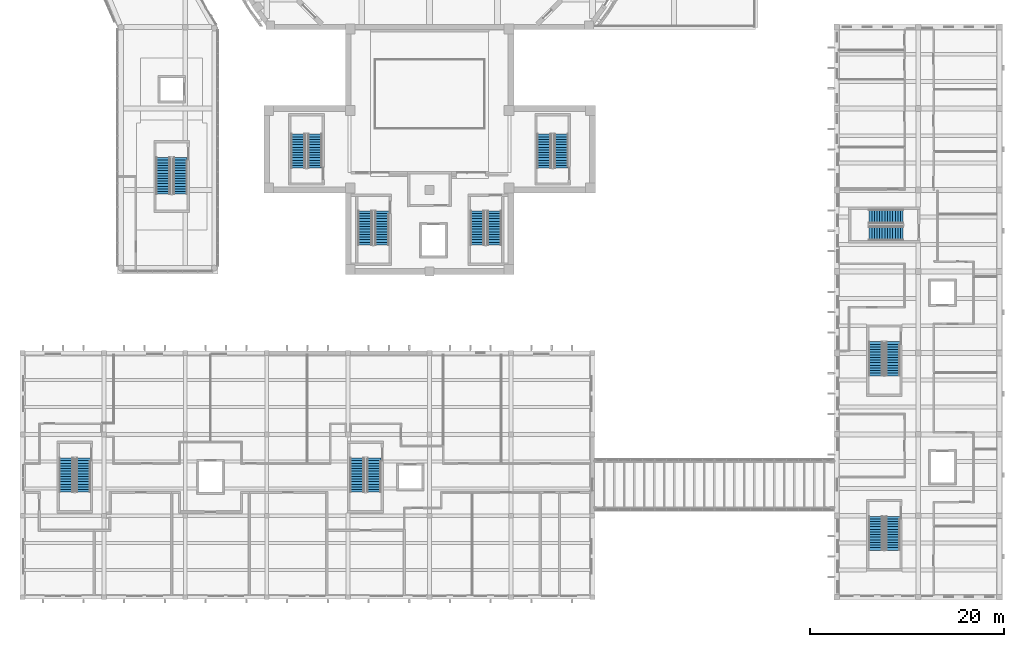
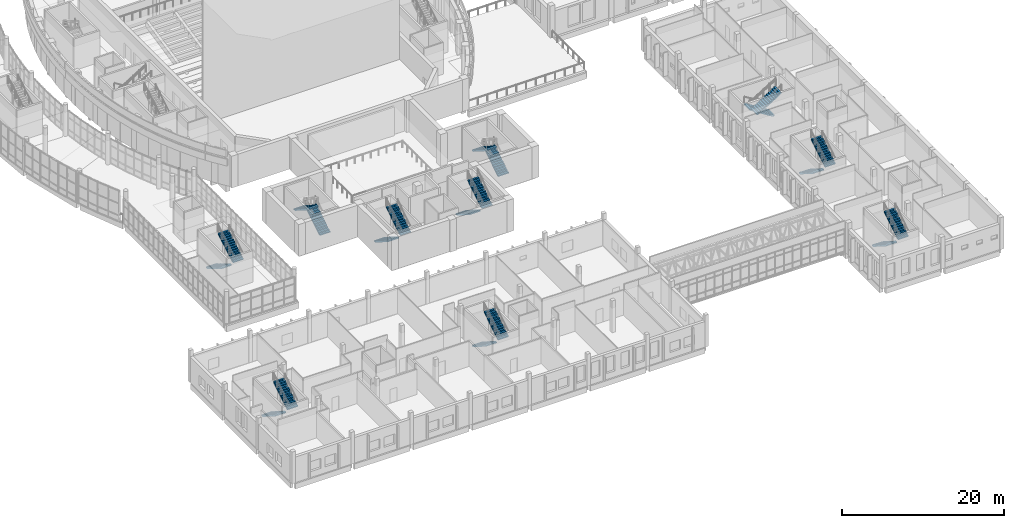
# One storey, part 72 of 119: 20 stair flights, 10 elements without a shape of their own.
"""IFC4 building model written with IfcOpenShell, lengths in metres."""

from ifc_helpers import new_model, si_unit, direction, frame, origin, place, context, subcontext, project, spatial, polyline, outline, extrude, material, type_object, element, aggregate, save


model = new_model("IFC4")

# Units and contexts
model_context = context("Model", 3, precision=1e-05, world=origin(), true_north=direction((0.0, 1.0)))
body_context = subcontext(model_context, "Body", "Model", "MODEL_VIEW")
ifc_project = project(units=[si_unit("LENGTHUNIT", "METRE"), si_unit("AREAUNIT", "SQUARE_METRE"), si_unit("VOLUMEUNIT", "CUBIC_METRE"), si_unit("PLANEANGLEUNIT", "RADIAN"), si_unit("MASSUNIT", "GRAM", prefix="KILO")], contexts=[model_context])

# Site, building, storey
site_placement = place(None, origin())
site = spatial("IfcSite", under=ifc_project, at=site_placement, CompositionType="ELEMENT")
building_placement = place(site_placement, origin())
building = spatial("IfcBuilding", under=site, at=building_placement, Name="Larchfold Concert Hall", CompositionType="ELEMENT")
storey_placement = place(building_placement, frame((0.0, 0.0, 4.800048828125)))
storey = spatial("IfcBuildingStorey", under=building, at=storey_placement, Name="L01", CompositionType="ELEMENT", Elevation=4.800048828125)

# Stair, stair flights
ifc_material_1 = material(Name="Concrete C35/45", Category="concrete")
stair_type = type_object("IfcStairType", Name="Stair RC half-turn enclosed", PredefinedType="HALF_TURN_STAIR", material=ifc_material_1)
stair_1_placement = place(storey_placement, origin())
stair_1 = element("IfcStair", 1, at=stair_1_placement, inside=storey, type_object=stair_type, Name="Stair WG1", PredefinedType="HALF_TURN_STAIR")
ifc_material_2 = material(Name="Concrete C35/45", Category="concrete")
stair_flight_type_1 = type_object("IfcStairFlightType", Name="Stair flight RC 1500 x 160.0", PredefinedType="STRAIGHT", material=ifc_material_2)
stair_flight_1_placement = place(storey_placement, frame((15.14990234375, 45.949951171875, 0.0), z_axis=(0.0, 0.0, 1.0), x_axis=(0.0, -1.0, 0.0)))
stair_flight_1 = element("IfcStairFlight", 2, at=stair_flight_1_placement, type_object=stair_flight_type_1, Name="ST23 flight 1", NumberOfRisers=15, NumberOfTreads=14, PredefinedType="STRAIGHT", RiserHeight=0.16, TreadLength=0.27, context=body_context, shape_type="SweptSolid", body=[
    extrude(outline(polyline([(0.0, 0.0), (0.0, 0.159912109375), (0.27001953125, 0.159912109375), (0.27001953125, 0.320068359375), (0.5400390625, 0.320068359375), (0.5400390625, 0.47998046875), (0.81005859375, 0.47998046875), (0.81005859375, 0.639892578125), (1.080078125, 0.639892578125), (1.080078125, 0.800048828125), (1.35009765625, 0.800048828125), (1.35009765625, 0.9599609375), (1.6201171875, 0.9599609375), (1.6201171875, 1.1201171875), (1.889892578125, 1.1201171875), (1.889892578125, 1.280029296875), (2.159912109375, 1.280029296875), (2.159912109375, 1.43994140625), (2.429931640625, 1.43994140625), (2.429931640625, 1.60009765625), (2.699951171875, 1.60009765625), (2.699951171875, 1.760009765625), (2.969970703125, 1.760009765625), (2.969970703125, 1.919921875), (3.239990234375, 1.919921875), (3.239990234375, 2.080078125), (3.510009765625, 2.080078125), (3.510009765625, 2.239990234375), (3.780029296875, 2.239990234375), (3.780029296875, 2.39990234375), (3.780029296875, 2.065673828125), (0.2939453125, 0.0), (0.0, 0.0)])), frame((0.0, 0.75, 0.0), z_axis=(0.0, -1.0, 0.0), x_axis=(1.0, 0.0, 0.0)), (0.0, 0.0, 1.0), 1.5),
])
stair_flight_2_placement = place(storey_placement, frame((16.849853515625, 42.169921875, 2.39990234375), z_axis=(0.0, 0.0, 1.0), x_axis=(0.0, 1.0, 0.0)))
stair_flight_2 = element("IfcStairFlight", 3, at=stair_flight_2_placement, type_object=stair_flight_type_1, Name="ST23 flight 2", NumberOfRisers=15, NumberOfTreads=14, PredefinedType="STRAIGHT", RiserHeight=0.16, TreadLength=0.27, context=body_context, shape_type="SweptSolid", body=[
    extrude(outline(polyline([(0.0, 0.0), (0.0, 0.159912109375), (0.27001953125, 0.159912109375), (0.27001953125, 0.320068359375), (0.5400390625, 0.320068359375), (0.5400390625, 0.47998046875), (0.81005859375, 0.47998046875), (0.81005859375, 0.639892578125), (1.080078125, 0.639892578125), (1.080078125, 0.800048828125), (1.35009765625, 0.800048828125), (1.35009765625, 0.9599609375), (1.6201171875, 0.9599609375), (1.6201171875, 1.1201171875), (1.889892578125, 1.1201171875), (1.889892578125, 1.280029296875), (2.159912109375, 1.280029296875), (2.159912109375, 1.43994140625), (2.429931640625, 1.43994140625), (2.429931640625, 1.60009765625), (2.699951171875, 1.60009765625), (2.699951171875, 1.760009765625), (2.969970703125, 1.760009765625), (2.969970703125, 1.919921875), (3.239990234375, 1.919921875), (3.239990234375, 2.080078125), (3.510009765625, 2.080078125), (3.510009765625, 2.239990234375), (3.780029296875, 2.239990234375), (3.780029296875, 2.39990234375), (3.780029296875, 2.065673828125), (0.2939453125, 0.0), (0.0, 0.0)])), frame((0.0, 0.75, 0.0), z_axis=(0.0, -1.0, 0.0), x_axis=(1.0, 0.0, 0.0)), (0.0, 0.0, 1.0), 1.5),
])
aggregate(stair_1, [stair_flight_1, stair_flight_2])

stair_2_placement = place(storey_placement, origin())
stair_2 = element("IfcStair", 4, at=stair_2_placement, inside=storey, type_object=stair_type, Name="Stair SH1", PredefinedType="HALF_TURN_STAIR")
ifc_material_3 = material(Name="Concrete C35/45", Category="concrete")
stair_flight_type_2 = type_object("IfcStairFlightType", Name="Stair flight RC 1500 x 171.4", PredefinedType="STRAIGHT", material=ifc_material_3)
stair_flight_3_placement = place(storey_placement, frame((30.75, 44.85009765625, 0.0), z_axis=(0.0, 0.0, 1.0), x_axis=(0.0, 1.0, 0.0)))
stair_flight_3 = element("IfcStairFlight", 5, at=stair_flight_3_placement, type_object=stair_flight_type_2, Name="ST09 flight 1", NumberOfRisers=14, NumberOfTreads=13, PredefinedType="STRAIGHT", RiserHeight=0.171428571, TreadLength=0.27, context=body_context, shape_type="SweptSolid", body=[
    extrude(outline(polyline([(0.0, 0.0), (0.0, 0.17138671875), (0.27001953125, 0.17138671875), (0.27001953125, 0.3427734375), (0.5400390625, 0.3427734375), (0.5400390625, 0.514404296875), (0.81005859375, 0.514404296875), (0.81005859375, 0.685791015625), (1.080078125, 0.685791015625), (1.080078125, 0.857177734375), (1.35009765625, 0.857177734375), (1.35009765625, 1.028564453125), (1.6201171875, 1.028564453125), (1.6201171875, 1.199951171875), (1.889892578125, 1.199951171875), (1.889892578125, 1.371337890625), (2.159912109375, 1.371337890625), (2.159912109375, 1.54296875), (2.429931640625, 1.54296875), (2.429931640625, 1.71435546875), (2.699951171875, 1.71435546875), (2.699951171875, 1.8857421875), (2.969970703125, 1.8857421875), (2.969970703125, 2.05712890625), (3.239990234375, 2.05712890625), (3.239990234375, 2.228515625), (3.510009765625, 2.228515625), (3.510009765625, 2.39990234375), (3.510009765625, 2.051025390625), (0.27978515625, 0.0), (0.0, 0.0)])), frame((0.0, 0.75, 0.0), z_axis=(0.0, -1.0, 0.0), x_axis=(1.0, 0.0, 0.0)), (0.0, 0.0, 1.0), 1.5),
])
stair_flight_4_placement = place(storey_placement, frame((29.050048828125, 48.360107421875, 2.39990234375), z_axis=(0.0, 0.0, 1.0), x_axis=(0.0, -1.0, 0.0)))
stair_flight_4 = element("IfcStairFlight", 6, at=stair_flight_4_placement, type_object=stair_flight_type_2, Name="ST09 flight 2", NumberOfRisers=14, NumberOfTreads=13, PredefinedType="STRAIGHT", RiserHeight=0.171428571, TreadLength=0.27, context=body_context, shape_type="SweptSolid", body=[
    extrude(outline(polyline([(0.0, 0.0), (0.0, 0.17138671875), (0.27001953125, 0.17138671875), (0.27001953125, 0.3427734375), (0.5400390625, 0.3427734375), (0.5400390625, 0.514404296875), (0.81005859375, 0.514404296875), (0.81005859375, 0.685791015625), (1.080078125, 0.685791015625), (1.080078125, 0.857177734375), (1.35009765625, 0.857177734375), (1.35009765625, 1.028564453125), (1.6201171875, 1.028564453125), (1.6201171875, 1.199951171875), (1.889892578125, 1.199951171875), (1.889892578125, 1.371337890625), (2.159912109375, 1.371337890625), (2.159912109375, 1.54296875), (2.429931640625, 1.54296875), (2.429931640625, 1.71435546875), (2.699951171875, 1.71435546875), (2.699951171875, 1.8857421875), (2.969970703125, 1.8857421875), (2.969970703125, 2.05712890625), (3.239990234375, 2.05712890625), (3.239990234375, 2.228515625), (3.510009765625, 2.228515625), (3.510009765625, 2.39990234375), (3.510009765625, 2.051025390625), (0.27978515625, 0.0), (0.0, 0.0)])), frame((0.0, 0.75, 0.0), z_axis=(0.0, -1.0, 0.0), x_axis=(1.0, 0.0, 0.0)), (0.0, 0.0, 1.0), 1.5),
])
aggregate(stair_2, [stair_flight_3, stair_flight_4])

stair_3_placement = place(storey_placement, origin())
stair_3 = element("IfcStair", 7, at=stair_3_placement, inside=storey, type_object=stair_type, Name="Stair SH2", PredefinedType="HALF_TURN_STAIR")
stair_flight_5_placement = place(storey_placement, frame((56.14990234375, 44.85009765625, 0.0), z_axis=(0.0, 0.0, 1.0), x_axis=(0.0, 1.0, 0.0)))
stair_flight_5 = element("IfcStairFlight", 8, at=stair_flight_5_placement, type_object=stair_flight_type_2, Name="ST10 flight 1", NumberOfRisers=14, NumberOfTreads=13, PredefinedType="STRAIGHT", RiserHeight=0.171428571, TreadLength=0.27, context=body_context, shape_type="SweptSolid", body=[
    extrude(outline(polyline([(0.0, 0.0), (0.0, 0.17138671875), (0.27001953125, 0.17138671875), (0.27001953125, 0.3427734375), (0.5400390625, 0.3427734375), (0.5400390625, 0.514404296875), (0.81005859375, 0.514404296875), (0.81005859375, 0.685791015625), (1.080078125, 0.685791015625), (1.080078125, 0.857177734375), (1.35009765625, 0.857177734375), (1.35009765625, 1.028564453125), (1.6201171875, 1.028564453125), (1.6201171875, 1.199951171875), (1.889892578125, 1.199951171875), (1.889892578125, 1.371337890625), (2.159912109375, 1.371337890625), (2.159912109375, 1.54296875), (2.429931640625, 1.54296875), (2.429931640625, 1.71435546875), (2.699951171875, 1.71435546875), (2.699951171875, 1.8857421875), (2.969970703125, 1.8857421875), (2.969970703125, 2.05712890625), (3.239990234375, 2.05712890625), (3.239990234375, 2.228515625), (3.510009765625, 2.228515625), (3.510009765625, 2.39990234375), (3.510009765625, 2.051025390625), (0.27978515625, 0.0), (0.0, 0.0)])), frame((0.0, 0.75, 0.0), z_axis=(0.0, -1.0, 0.0), x_axis=(1.0, 0.0, 0.0)), (0.0, 0.0, 1.0), 1.5),
])
stair_flight_6_placement = place(storey_placement, frame((54.449951171875, 48.360107421875, 2.39990234375), z_axis=(0.0, 0.0, 1.0), x_axis=(0.0, -1.0, 0.0)))
stair_flight_6 = element("IfcStairFlight", 9, at=stair_flight_6_placement, type_object=stair_flight_type_2, Name="ST10 flight 2", NumberOfRisers=14, NumberOfTreads=13, PredefinedType="STRAIGHT", RiserHeight=0.171428571, TreadLength=0.27, context=body_context, shape_type="SweptSolid", body=[
    extrude(outline(polyline([(0.0, 0.0), (0.0, 0.17138671875), (0.27001953125, 0.17138671875), (0.27001953125, 0.3427734375), (0.5400390625, 0.3427734375), (0.5400390625, 0.514404296875), (0.81005859375, 0.514404296875), (0.81005859375, 0.685791015625), (1.080078125, 0.685791015625), (1.080078125, 0.857177734375), (1.35009765625, 0.857177734375), (1.35009765625, 1.028564453125), (1.6201171875, 1.028564453125), (1.6201171875, 1.199951171875), (1.889892578125, 1.199951171875), (1.889892578125, 1.371337890625), (2.159912109375, 1.371337890625), (2.159912109375, 1.54296875), (2.429931640625, 1.54296875), (2.429931640625, 1.71435546875), (2.699951171875, 1.71435546875), (2.699951171875, 1.8857421875), (2.969970703125, 1.8857421875), (2.969970703125, 2.05712890625), (3.239990234375, 2.05712890625), (3.239990234375, 2.228515625), (3.510009765625, 2.228515625), (3.510009765625, 2.39990234375), (3.510009765625, 2.051025390625), (0.27978515625, 0.0), (0.0, 0.0)])), frame((0.0, 0.75, 0.0), z_axis=(0.0, -1.0, 0.0), x_axis=(1.0, 0.0, 0.0)), (0.0, 0.0, 1.0), 1.5),
])
aggregate(stair_3, [stair_flight_5, stair_flight_6])

stair_4_placement = place(storey_placement, origin())
stair_4 = element("IfcStair", 10, at=stair_4_placement, inside=storey, type_object=stair_type, Name="Stair SH3", PredefinedType="HALF_TURN_STAIR")
stair_flight_7_placement = place(storey_placement, frame((35.949951171875, 40.449951171875, 0.0), z_axis=(0.0, 0.0, 1.0), x_axis=(0.0, -1.0, 0.0)))
stair_flight_7 = element("IfcStairFlight", 11, at=stair_flight_7_placement, type_object=stair_flight_type_2, Name="ST11 flight 1", NumberOfRisers=14, NumberOfTreads=13, PredefinedType="STRAIGHT", RiserHeight=0.171428571, TreadLength=0.27, context=body_context, shape_type="SweptSolid", body=[
    extrude(outline(polyline([(0.0, 0.0), (0.0, 0.17138671875), (0.27001953125, 0.17138671875), (0.27001953125, 0.3427734375), (0.5400390625, 0.3427734375), (0.5400390625, 0.514404296875), (0.81005859375, 0.514404296875), (0.81005859375, 0.685791015625), (1.080078125, 0.685791015625), (1.080078125, 0.857177734375), (1.35009765625, 0.857177734375), (1.35009765625, 1.028564453125), (1.6201171875, 1.028564453125), (1.6201171875, 1.199951171875), (1.889892578125, 1.199951171875), (1.889892578125, 1.371337890625), (2.159912109375, 1.371337890625), (2.159912109375, 1.54296875), (2.429931640625, 1.54296875), (2.429931640625, 1.71435546875), (2.699951171875, 1.71435546875), (2.699951171875, 1.8857421875), (2.969970703125, 1.8857421875), (2.969970703125, 2.05712890625), (3.239990234375, 2.05712890625), (3.239990234375, 2.228515625), (3.510009765625, 2.228515625), (3.510009765625, 2.39990234375), (3.510009765625, 2.051025390625), (0.27978515625, 0.0), (0.0, 0.0)])), frame((0.0, 0.75, 0.0), z_axis=(0.0, -1.0, 0.0), x_axis=(1.0, 0.0, 0.0)), (0.0, 0.0, 1.0), 1.5),
])
stair_flight_8_placement = place(storey_placement, frame((37.64990234375, 36.93994140625, 2.39990234375), z_axis=(0.0, 0.0, 1.0), x_axis=(0.0, 1.0, 0.0)))
stair_flight_8 = element("IfcStairFlight", 12, at=stair_flight_8_placement, type_object=stair_flight_type_2, Name="ST11 flight 2", NumberOfRisers=14, NumberOfTreads=13, PredefinedType="STRAIGHT", RiserHeight=0.171428571, TreadLength=0.27, context=body_context, shape_type="SweptSolid", body=[
    extrude(outline(polyline([(0.0, 0.0), (0.0, 0.17138671875), (0.27001953125, 0.17138671875), (0.27001953125, 0.3427734375), (0.5400390625, 0.3427734375), (0.5400390625, 0.514404296875), (0.81005859375, 0.514404296875), (0.81005859375, 0.685791015625), (1.080078125, 0.685791015625), (1.080078125, 0.857177734375), (1.35009765625, 0.857177734375), (1.35009765625, 1.028564453125), (1.6201171875, 1.028564453125), (1.6201171875, 1.199951171875), (1.889892578125, 1.199951171875), (1.889892578125, 1.371337890625), (2.159912109375, 1.371337890625), (2.159912109375, 1.54296875), (2.429931640625, 1.54296875), (2.429931640625, 1.71435546875), (2.699951171875, 1.71435546875), (2.699951171875, 1.8857421875), (2.969970703125, 1.8857421875), (2.969970703125, 2.05712890625), (3.239990234375, 2.05712890625), (3.239990234375, 2.228515625), (3.510009765625, 2.228515625), (3.510009765625, 2.39990234375), (3.510009765625, 2.051025390625), (0.27978515625, 0.0), (0.0, 0.0)])), frame((0.0, 0.75, 0.0), z_axis=(0.0, -1.0, 0.0), x_axis=(1.0, 0.0, 0.0)), (0.0, 0.0, 1.0), 1.5),
])
aggregate(stair_4, [stair_flight_7, stair_flight_8])

stair_5_placement = place(storey_placement, origin())
stair_5 = element("IfcStair", 13, at=stair_5_placement, inside=storey, type_object=stair_type, Name="Stair SH4", PredefinedType="HALF_TURN_STAIR")
stair_flight_9_placement = place(storey_placement, frame((47.550048828125, 40.449951171875, 0.0), z_axis=(0.0, 0.0, 1.0), x_axis=(0.0, -1.0, 0.0)))
stair_flight_9 = element("IfcStairFlight", 14, at=stair_flight_9_placement, type_object=stair_flight_type_2, Name="ST12 flight 1", NumberOfRisers=14, NumberOfTreads=13, PredefinedType="STRAIGHT", RiserHeight=0.171428571, TreadLength=0.27, context=body_context, shape_type="SweptSolid", body=[
    extrude(outline(polyline([(0.0, 0.0), (0.0, 0.17138671875), (0.27001953125, 0.17138671875), (0.27001953125, 0.3427734375), (0.5400390625, 0.3427734375), (0.5400390625, 0.514404296875), (0.81005859375, 0.514404296875), (0.81005859375, 0.685791015625), (1.080078125, 0.685791015625), (1.080078125, 0.857177734375), (1.35009765625, 0.857177734375), (1.35009765625, 1.028564453125), (1.6201171875, 1.028564453125), (1.6201171875, 1.199951171875), (1.889892578125, 1.199951171875), (1.889892578125, 1.371337890625), (2.159912109375, 1.371337890625), (2.159912109375, 1.54296875), (2.429931640625, 1.54296875), (2.429931640625, 1.71435546875), (2.699951171875, 1.71435546875), (2.699951171875, 1.8857421875), (2.969970703125, 1.8857421875), (2.969970703125, 2.05712890625), (3.239990234375, 2.05712890625), (3.239990234375, 2.228515625), (3.510009765625, 2.228515625), (3.510009765625, 2.39990234375), (3.510009765625, 2.051025390625), (0.27978515625, 0.0), (0.0, 0.0)])), frame((0.0, 0.75, 0.0), z_axis=(0.0, -1.0, 0.0), x_axis=(1.0, 0.0, 0.0)), (0.0, 0.0, 1.0), 1.5),
])
stair_flight_10_placement = place(storey_placement, frame((49.25, 36.93994140625, 2.39990234375), z_axis=(0.0, 0.0, 1.0), x_axis=(0.0, 1.0, 0.0)))
stair_flight_10 = element("IfcStairFlight", 15, at=stair_flight_10_placement, type_object=stair_flight_type_2, Name="ST12 flight 2", NumberOfRisers=14, NumberOfTreads=13, PredefinedType="STRAIGHT", RiserHeight=0.171428571, TreadLength=0.27, context=body_context, shape_type="SweptSolid", body=[
    extrude(outline(polyline([(0.0, 0.0), (0.0, 0.17138671875), (0.27001953125, 0.17138671875), (0.27001953125, 0.3427734375), (0.5400390625, 0.3427734375), (0.5400390625, 0.514404296875), (0.81005859375, 0.514404296875), (0.81005859375, 0.685791015625), (1.080078125, 0.685791015625), (1.080078125, 0.857177734375), (1.35009765625, 0.857177734375), (1.35009765625, 1.028564453125), (1.6201171875, 1.028564453125), (1.6201171875, 1.199951171875), (1.889892578125, 1.199951171875), (1.889892578125, 1.371337890625), (2.159912109375, 1.371337890625), (2.159912109375, 1.54296875), (2.429931640625, 1.54296875), (2.429931640625, 1.71435546875), (2.699951171875, 1.71435546875), (2.699951171875, 1.8857421875), (2.969970703125, 1.8857421875), (2.969970703125, 2.05712890625), (3.239990234375, 2.05712890625), (3.239990234375, 2.228515625), (3.510009765625, 2.228515625), (3.510009765625, 2.39990234375), (3.510009765625, 2.051025390625), (0.27978515625, 0.0), (0.0, 0.0)])), frame((0.0, 0.75, 0.0), z_axis=(0.0, -1.0, 0.0), x_axis=(1.0, 0.0, 0.0)), (0.0, 0.0, 1.0), 1.5),
])
aggregate(stair_5, [stair_flight_9, stair_flight_10])

stair_6_placement = place(storey_placement, origin())
stair_6 = element("IfcStair", 16, at=stair_6_placement, inside=storey, type_object=stair_type, Name="Stair AW1", PredefinedType="HALF_TURN_STAIR")
stair_flight_11_placement = place(storey_placement, frame((88.64990234375, 8.949951171875, 0.0), z_axis=(0.0, 0.0, 1.0), x_axis=(0.0, -1.0, 0.0)))
stair_flight_11 = element("IfcStairFlight", 17, at=stair_flight_11_placement, type_object=stair_flight_type_2, Name="ST13 flight 1", NumberOfRisers=14, NumberOfTreads=13, PredefinedType="STRAIGHT", RiserHeight=0.171428571, TreadLength=0.27, context=body_context, shape_type="SweptSolid", body=[
    extrude(outline(polyline([(0.0, 0.0), (0.0, 0.17138671875), (0.27001953125, 0.17138671875), (0.27001953125, 0.3427734375), (0.5400390625, 0.3427734375), (0.5400390625, 0.514404296875), (0.81005859375, 0.514404296875), (0.81005859375, 0.685791015625), (1.080078125, 0.685791015625), (1.080078125, 0.857177734375), (1.35009765625, 0.857177734375), (1.35009765625, 1.028564453125), (1.6201171875, 1.028564453125), (1.6201171875, 1.199951171875), (1.889892578125, 1.199951171875), (1.889892578125, 1.371337890625), (2.159912109375, 1.371337890625), (2.159912109375, 1.54296875), (2.429931640625, 1.54296875), (2.429931640625, 1.71435546875), (2.699951171875, 1.71435546875), (2.699951171875, 1.8857421875), (2.969970703125, 1.8857421875), (2.969970703125, 2.05712890625), (3.239990234375, 2.05712890625), (3.239990234375, 2.228515625), (3.510009765625, 2.228515625), (3.510009765625, 2.39990234375), (3.510009765625, 2.051025390625), (0.27978515625, 0.0), (0.0, 0.0)])), frame((0.0, 0.75, 0.0), z_axis=(0.0, -1.0, 0.0), x_axis=(1.0, 0.0, 0.0)), (0.0, 0.0, 1.0), 1.5),
])
stair_flight_12_placement = place(storey_placement, frame((90.349853515625, 5.43994140625, 2.39990234375), z_axis=(0.0, 0.0, 1.0), x_axis=(0.0, 1.0, 0.0)))
stair_flight_12 = element("IfcStairFlight", 18, at=stair_flight_12_placement, type_object=stair_flight_type_2, Name="ST13 flight 2", NumberOfRisers=14, NumberOfTreads=13, PredefinedType="STRAIGHT", RiserHeight=0.171428571, TreadLength=0.27, context=body_context, shape_type="SweptSolid", body=[
    extrude(outline(polyline([(0.0, 0.0), (0.0, 0.17138671875), (0.27001953125, 0.17138671875), (0.27001953125, 0.3427734375), (0.5400390625, 0.3427734375), (0.5400390625, 0.514404296875), (0.81005859375, 0.514404296875), (0.81005859375, 0.685791015625), (1.080078125, 0.685791015625), (1.080078125, 0.857177734375), (1.35009765625, 0.857177734375), (1.35009765625, 1.028564453125), (1.6201171875, 1.028564453125), (1.6201171875, 1.199951171875), (1.889892578125, 1.199951171875), (1.889892578125, 1.371337890625), (2.159912109375, 1.371337890625), (2.159912109375, 1.54296875), (2.429931640625, 1.54296875), (2.429931640625, 1.71435546875), (2.699951171875, 1.71435546875), (2.699951171875, 1.8857421875), (2.969970703125, 1.8857421875), (2.969970703125, 2.05712890625), (3.239990234375, 2.05712890625), (3.239990234375, 2.228515625), (3.510009765625, 2.228515625), (3.510009765625, 2.39990234375), (3.510009765625, 2.051025390625), (0.27978515625, 0.0), (0.0, 0.0)])), frame((0.0, 0.75, 0.0), z_axis=(0.0, -1.0, 0.0), x_axis=(1.0, 0.0, 0.0)), (0.0, 0.0, 1.0), 1.5),
])
aggregate(stair_6, [stair_flight_11, stair_flight_12])

stair_7_placement = place(storey_placement, origin())
stair_7 = element("IfcStair", 19, at=stair_7_placement, inside=storey, type_object=stair_type, Name="Stair AW2", PredefinedType="HALF_TURN_STAIR")
stair_flight_13_placement = place(storey_placement, frame((88.64990234375, 26.949951171875, 0.0), z_axis=(0.0, 0.0, 1.0), x_axis=(0.0, -1.0, 0.0)))
stair_flight_13 = element("IfcStairFlight", 20, at=stair_flight_13_placement, type_object=stair_flight_type_2, Name="ST14 flight 1", NumberOfRisers=14, NumberOfTreads=13, PredefinedType="STRAIGHT", RiserHeight=0.171428571, TreadLength=0.27, context=body_context, shape_type="SweptSolid", body=[
    extrude(outline(polyline([(0.0, 0.0), (0.0, 0.17138671875), (0.27001953125, 0.17138671875), (0.27001953125, 0.3427734375), (0.5400390625, 0.3427734375), (0.5400390625, 0.514404296875), (0.81005859375, 0.514404296875), (0.81005859375, 0.685791015625), (1.080078125, 0.685791015625), (1.080078125, 0.857177734375), (1.35009765625, 0.857177734375), (1.35009765625, 1.028564453125), (1.6201171875, 1.028564453125), (1.6201171875, 1.199951171875), (1.889892578125, 1.199951171875), (1.889892578125, 1.371337890625), (2.159912109375, 1.371337890625), (2.159912109375, 1.54296875), (2.429931640625, 1.54296875), (2.429931640625, 1.71435546875), (2.699951171875, 1.71435546875), (2.699951171875, 1.8857421875), (2.969970703125, 1.8857421875), (2.969970703125, 2.05712890625), (3.239990234375, 2.05712890625), (3.239990234375, 2.228515625), (3.510009765625, 2.228515625), (3.510009765625, 2.39990234375), (3.510009765625, 2.051025390625), (0.27978515625, 0.0), (0.0, 0.0)])), frame((0.0, 0.75, 0.0), z_axis=(0.0, -1.0, 0.0), x_axis=(1.0, 0.0, 0.0)), (0.0, 0.0, 1.0), 1.5),
])
stair_flight_14_placement = place(storey_placement, frame((90.349853515625, 23.43994140625, 2.39990234375), z_axis=(0.0, 0.0, 1.0), x_axis=(0.0, 1.0, 0.0)))
stair_flight_14 = element("IfcStairFlight", 21, at=stair_flight_14_placement, type_object=stair_flight_type_2, Name="ST14 flight 2", NumberOfRisers=14, NumberOfTreads=13, PredefinedType="STRAIGHT", RiserHeight=0.171428571, TreadLength=0.27, context=body_context, shape_type="SweptSolid", body=[
    extrude(outline(polyline([(0.0, 0.0), (0.0, 0.17138671875), (0.27001953125, 0.17138671875), (0.27001953125, 0.3427734375), (0.5400390625, 0.3427734375), (0.5400390625, 0.514404296875), (0.81005859375, 0.514404296875), (0.81005859375, 0.685791015625), (1.080078125, 0.685791015625), (1.080078125, 0.857177734375), (1.35009765625, 0.857177734375), (1.35009765625, 1.028564453125), (1.6201171875, 1.028564453125), (1.6201171875, 1.199951171875), (1.889892578125, 1.199951171875), (1.889892578125, 1.371337890625), (2.159912109375, 1.371337890625), (2.159912109375, 1.54296875), (2.429931640625, 1.54296875), (2.429931640625, 1.71435546875), (2.699951171875, 1.71435546875), (2.699951171875, 1.8857421875), (2.969970703125, 1.8857421875), (2.969970703125, 2.05712890625), (3.239990234375, 2.05712890625), (3.239990234375, 2.228515625), (3.510009765625, 2.228515625), (3.510009765625, 2.39990234375), (3.510009765625, 2.051025390625), (0.27978515625, 0.0), (0.0, 0.0)])), frame((0.0, 0.75, 0.0), z_axis=(0.0, -1.0, 0.0), x_axis=(1.0, 0.0, 0.0)), (0.0, 0.0, 1.0), 1.5),
])
aggregate(stair_7, [stair_flight_13, stair_flight_14])

stair_8_placement = place(storey_placement, origin())
stair_8 = element("IfcStair", 22, at=stair_8_placement, inside=storey, type_object=stair_type, Name="Stair AW3", PredefinedType="HALF_TURN_STAIR")
stair_flight_15_placement = place(storey_placement, frame((91.449951171875, 39.85009765625, 0.0), z_axis=(0.0, 0.0, 1.0), x_axis=(-1.0, 0.0, 0.0)))
stair_flight_15 = element("IfcStairFlight", 23, at=stair_flight_15_placement, type_object=stair_flight_type_2, Name="ST15 flight 1", NumberOfRisers=14, NumberOfTreads=13, PredefinedType="STRAIGHT", RiserHeight=0.171428571, TreadLength=0.27, context=body_context, shape_type="SweptSolid", body=[
    extrude(outline(polyline([(0.0, 0.0), (0.0, 0.17138671875), (0.27001953125, 0.17138671875), (0.27001953125, 0.3427734375), (0.5400390625, 0.3427734375), (0.5400390625, 0.514404296875), (0.81005859375, 0.514404296875), (0.81005859375, 0.685791015625), (1.080078125, 0.685791015625), (1.080078125, 0.857177734375), (1.35009765625, 0.857177734375), (1.35009765625, 1.028564453125), (1.6201171875, 1.028564453125), (1.6201171875, 1.199951171875), (1.889892578125, 1.199951171875), (1.889892578125, 1.371337890625), (2.159912109375, 1.371337890625), (2.159912109375, 1.54296875), (2.429931640625, 1.54296875), (2.429931640625, 1.71435546875), (2.699951171875, 1.71435546875), (2.699951171875, 1.8857421875), (2.969970703125, 1.8857421875), (2.969970703125, 2.05712890625), (3.239990234375, 2.05712890625), (3.239990234375, 2.228515625), (3.510009765625, 2.228515625), (3.510009765625, 2.39990234375), (3.510009765625, 2.051025390625), (0.27978515625, 0.0), (0.0, 0.0)])), frame((0.0, 0.75, 0.0), z_axis=(0.0, -1.0, 0.0), x_axis=(1.0, 0.0, 0.0)), (0.0, 0.0, 1.0), 1.5),
])
stair_flight_16_placement = place(storey_placement, frame((87.93994140625, 38.150146484375, 2.39990234375), z_axis=(0.0, 0.0, 1.0), x_axis=(1.0, 0.0, 0.0)))
stair_flight_16 = element("IfcStairFlight", 24, at=stair_flight_16_placement, type_object=stair_flight_type_2, Name="ST15 flight 2", NumberOfRisers=14, NumberOfTreads=13, PredefinedType="STRAIGHT", RiserHeight=0.171428571, TreadLength=0.27, context=body_context, shape_type="SweptSolid", body=[
    extrude(outline(polyline([(0.0, 0.0), (0.0, 0.17138671875), (0.27001953125, 0.17138671875), (0.27001953125, 0.3427734375), (0.5400390625, 0.3427734375), (0.5400390625, 0.514404296875), (0.81005859375, 0.514404296875), (0.81005859375, 0.685791015625), (1.080078125, 0.685791015625), (1.080078125, 0.857177734375), (1.35009765625, 0.857177734375), (1.35009765625, 1.028564453125), (1.6201171875, 1.028564453125), (1.6201171875, 1.199951171875), (1.889892578125, 1.199951171875), (1.889892578125, 1.371337890625), (2.159912109375, 1.371337890625), (2.159912109375, 1.54296875), (2.429931640625, 1.54296875), (2.429931640625, 1.71435546875), (2.699951171875, 1.71435546875), (2.699951171875, 1.8857421875), (2.969970703125, 1.8857421875), (2.969970703125, 2.05712890625), (3.239990234375, 2.05712890625), (3.239990234375, 2.228515625), (3.510009765625, 2.228515625), (3.510009765625, 2.39990234375), (3.510009765625, 2.051025390625), (0.27978515625, 0.0), (0.0, 0.0)])), frame((0.0, 0.75, 0.0), z_axis=(0.0, -1.0, 0.0), x_axis=(1.0, 0.0, 0.0)), (0.0, 0.0, 1.0), 1.5),
])
aggregate(stair_8, [stair_flight_15, stair_flight_16])

stair_9_placement = place(storey_placement, origin())
stair_9 = element("IfcStair", 25, at=stair_9_placement, inside=storey, type_object=stair_type, Name="Stair SW1", PredefinedType="HALF_TURN_STAIR")
stair_flight_17_placement = place(storey_placement, frame((5.14990234375, 14.949951171875, 0.0), z_axis=(0.0, 0.0, 1.0), x_axis=(0.0, -1.0, 0.0)))
stair_flight_17 = element("IfcStairFlight", 26, at=stair_flight_17_placement, type_object=stair_flight_type_2, Name="ST21 flight 1", NumberOfRisers=14, NumberOfTreads=13, PredefinedType="STRAIGHT", RiserHeight=0.171428571, TreadLength=0.27, context=body_context, shape_type="SweptSolid", body=[
    extrude(outline(polyline([(0.0, 0.0), (0.0, 0.17138671875), (0.27001953125, 0.17138671875), (0.27001953125, 0.3427734375), (0.5400390625, 0.3427734375), (0.5400390625, 0.514404296875), (0.81005859375, 0.514404296875), (0.81005859375, 0.685791015625), (1.080078125, 0.685791015625), (1.080078125, 0.857177734375), (1.35009765625, 0.857177734375), (1.35009765625, 1.028564453125), (1.6201171875, 1.028564453125), (1.6201171875, 1.199951171875), (1.889892578125, 1.199951171875), (1.889892578125, 1.371337890625), (2.159912109375, 1.371337890625), (2.159912109375, 1.54296875), (2.429931640625, 1.54296875), (2.429931640625, 1.71435546875), (2.699951171875, 1.71435546875), (2.699951171875, 1.8857421875), (2.969970703125, 1.8857421875), (2.969970703125, 2.05712890625), (3.239990234375, 2.05712890625), (3.239990234375, 2.228515625), (3.510009765625, 2.228515625), (3.510009765625, 2.39990234375), (3.510009765625, 2.051025390625), (0.27978515625, 0.0), (0.0, 0.0)])), frame((0.0, 0.75, 0.0), z_axis=(0.0, -1.0, 0.0), x_axis=(1.0, 0.0, 0.0)), (0.0, 0.0, 1.0), 1.5),
])
stair_flight_18_placement = place(storey_placement, frame((6.849853515625, 11.43994140625, 2.39990234375), z_axis=(0.0, 0.0, 1.0), x_axis=(0.0, 1.0, 0.0)))
stair_flight_18 = element("IfcStairFlight", 27, at=stair_flight_18_placement, type_object=stair_flight_type_2, Name="ST21 flight 2", NumberOfRisers=14, NumberOfTreads=13, PredefinedType="STRAIGHT", RiserHeight=0.171428571, TreadLength=0.27, context=body_context, shape_type="SweptSolid", body=[
    extrude(outline(polyline([(0.0, 0.0), (0.0, 0.17138671875), (0.27001953125, 0.17138671875), (0.27001953125, 0.3427734375), (0.5400390625, 0.3427734375), (0.5400390625, 0.514404296875), (0.81005859375, 0.514404296875), (0.81005859375, 0.685791015625), (1.080078125, 0.685791015625), (1.080078125, 0.857177734375), (1.35009765625, 0.857177734375), (1.35009765625, 1.028564453125), (1.6201171875, 1.028564453125), (1.6201171875, 1.199951171875), (1.889892578125, 1.199951171875), (1.889892578125, 1.371337890625), (2.159912109375, 1.371337890625), (2.159912109375, 1.54296875), (2.429931640625, 1.54296875), (2.429931640625, 1.71435546875), (2.699951171875, 1.71435546875), (2.699951171875, 1.8857421875), (2.969970703125, 1.8857421875), (2.969970703125, 2.05712890625), (3.239990234375, 2.05712890625), (3.239990234375, 2.228515625), (3.510009765625, 2.228515625), (3.510009765625, 2.39990234375), (3.510009765625, 2.051025390625), (0.27978515625, 0.0), (0.0, 0.0)])), frame((0.0, 0.75, 0.0), z_axis=(0.0, -1.0, 0.0), x_axis=(1.0, 0.0, 0.0)), (0.0, 0.0, 1.0), 1.5),
])
aggregate(stair_9, [stair_flight_17, stair_flight_18])

stair_10_placement = place(storey_placement, origin())
stair_10 = element("IfcStair", 28, at=stair_10_placement, inside=storey, type_object=stair_type, Name="Stair SW2", PredefinedType="HALF_TURN_STAIR")
stair_flight_19_placement = place(storey_placement, frame((35.14990234375, 14.949951171875, 0.0), z_axis=(0.0, 0.0, 1.0), x_axis=(0.0, -1.0, 0.0)))
stair_flight_19 = element("IfcStairFlight", 29, at=stair_flight_19_placement, type_object=stair_flight_type_2, Name="ST22 flight 1", NumberOfRisers=14, NumberOfTreads=13, PredefinedType="STRAIGHT", RiserHeight=0.171428571, TreadLength=0.27, context=body_context, shape_type="SweptSolid", body=[
    extrude(outline(polyline([(0.0, 0.0), (0.0, 0.17138671875), (0.27001953125, 0.17138671875), (0.27001953125, 0.3427734375), (0.5400390625, 0.3427734375), (0.5400390625, 0.514404296875), (0.81005859375, 0.514404296875), (0.81005859375, 0.685791015625), (1.080078125, 0.685791015625), (1.080078125, 0.857177734375), (1.35009765625, 0.857177734375), (1.35009765625, 1.028564453125), (1.6201171875, 1.028564453125), (1.6201171875, 1.199951171875), (1.889892578125, 1.199951171875), (1.889892578125, 1.371337890625), (2.159912109375, 1.371337890625), (2.159912109375, 1.54296875), (2.429931640625, 1.54296875), (2.429931640625, 1.71435546875), (2.699951171875, 1.71435546875), (2.699951171875, 1.8857421875), (2.969970703125, 1.8857421875), (2.969970703125, 2.05712890625), (3.239990234375, 2.05712890625), (3.239990234375, 2.228515625), (3.510009765625, 2.228515625), (3.510009765625, 2.39990234375), (3.510009765625, 2.051025390625), (0.27978515625, 0.0), (0.0, 0.0)])), frame((0.0, 0.75, 0.0), z_axis=(0.0, -1.0, 0.0), x_axis=(1.0, 0.0, 0.0)), (0.0, 0.0, 1.0), 1.5),
])
stair_flight_20_placement = place(storey_placement, frame((36.849853515625, 11.43994140625, 2.39990234375), z_axis=(0.0, 0.0, 1.0), x_axis=(0.0, 1.0, 0.0)))
stair_flight_20 = element("IfcStairFlight", 30, at=stair_flight_20_placement, type_object=stair_flight_type_2, Name="ST22 flight 2", NumberOfRisers=14, NumberOfTreads=13, PredefinedType="STRAIGHT", RiserHeight=0.171428571, TreadLength=0.27, context=body_context, shape_type="SweptSolid", body=[
    extrude(outline(polyline([(0.0, 0.0), (0.0, 0.17138671875), (0.27001953125, 0.17138671875), (0.27001953125, 0.3427734375), (0.5400390625, 0.3427734375), (0.5400390625, 0.514404296875), (0.81005859375, 0.514404296875), (0.81005859375, 0.685791015625), (1.080078125, 0.685791015625), (1.080078125, 0.857177734375), (1.35009765625, 0.857177734375), (1.35009765625, 1.028564453125), (1.6201171875, 1.028564453125), (1.6201171875, 1.199951171875), (1.889892578125, 1.199951171875), (1.889892578125, 1.371337890625), (2.159912109375, 1.371337890625), (2.159912109375, 1.54296875), (2.429931640625, 1.54296875), (2.429931640625, 1.71435546875), (2.699951171875, 1.71435546875), (2.699951171875, 1.8857421875), (2.969970703125, 1.8857421875), (2.969970703125, 2.05712890625), (3.239990234375, 2.05712890625), (3.239990234375, 2.228515625), (3.510009765625, 2.228515625), (3.510009765625, 2.39990234375), (3.510009765625, 2.051025390625), (0.27978515625, 0.0), (0.0, 0.0)])), frame((0.0, 0.75, 0.0), z_axis=(0.0, -1.0, 0.0), x_axis=(1.0, 0.0, 0.0)), (0.0, 0.0, 1.0), 1.5),
])
aggregate(stair_10, [stair_flight_19, stair_flight_20])

save(model, "model.ifc")
